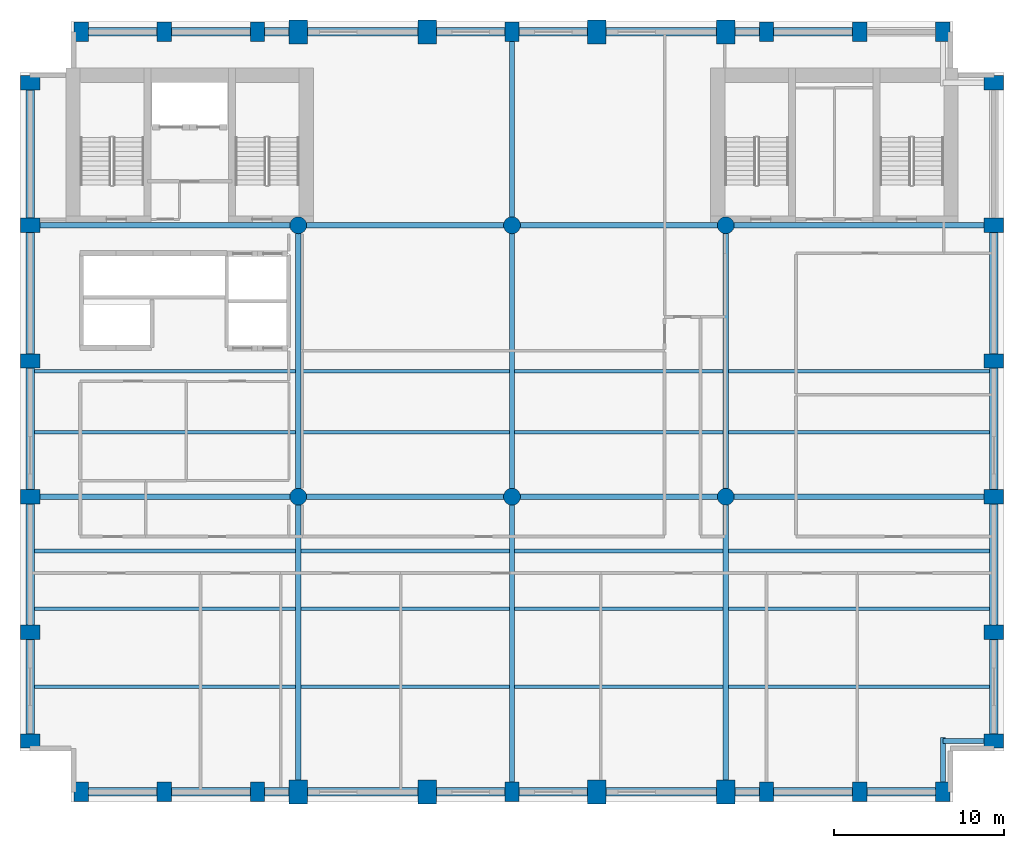
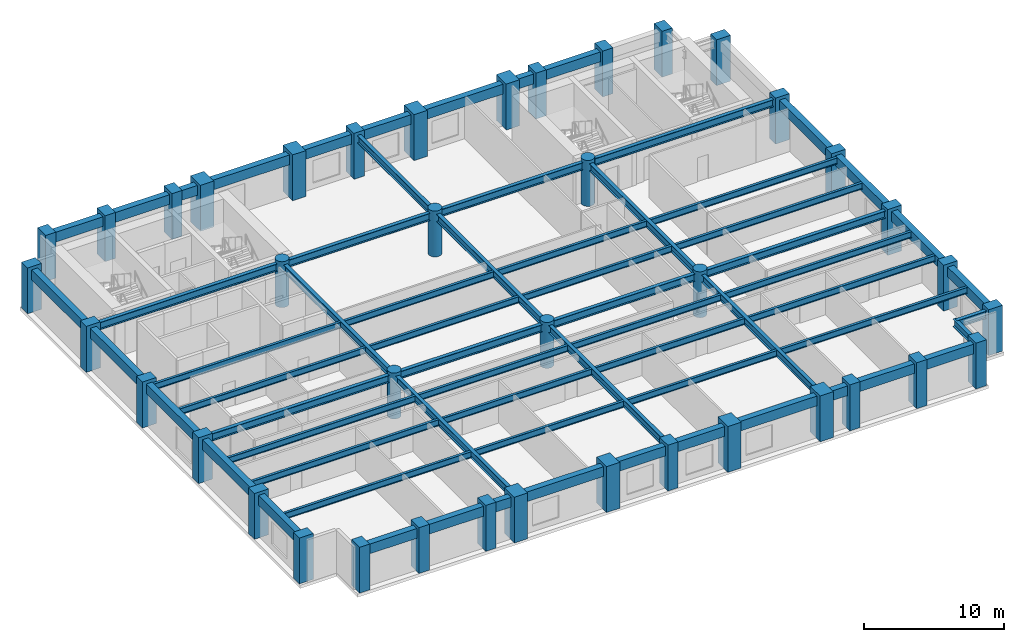
# One storey, part 1 of 8: 65 beams, 40 columns.
"""IFC4 building model written with IfcOpenShell, lengths in metres."""

import ifcopenshell
import ifcopenshell.guid

model = None  # the IFC model being written
_history = None  # IfcOwnerHistory: only IFC2X3 demands one
_inside = {}  # id of a spatial element -> (the spatial element, [elements in it])
_under = {}  # id of a project, library or spatial element -> (it, [spatial elements below it])
_declared = {}  # id of a project -> (the project, [libraries it declares])
_typed = {}  # id of a type object -> (the type object, [elements of that type])
_made_of = {}  # id of a material, layer set ... -> (it, [elements and type objects made of it])


def new_model(schema):
    """Start an empty IFC model of exactly this schema.

    Asked for "IFC4X3", IfcOpenShell would pick the latest addendum, in which some entities
    have other attributes; the version numbers below select the first issue.
    IFC2X3 requires an IfcOwnerHistory on every rooted entity: one is made here for all.
    """
    global model, _history
    if schema == "IFC4X3":
        model = ifcopenshell.file(schema_version=(4, 3, 0, 0))
    else:
        model = ifcopenshell.file(schema=schema)
    _inside.clear()
    _under.clear()
    _declared.clear()
    _typed.clear()
    _made_of.clear()
    _history = None
    if model.schema == "IFC2X3":
        org = make("IfcOrganization", Name="unknown")
        user = make(
            "IfcPersonAndOrganization",
            ThePerson=make("IfcPerson", FamilyName="unknown"),
            TheOrganization=org,
        )
        app = make(
            "IfcApplication",
            ApplicationDeveloper=org,
            Version="unknown",
            ApplicationFullName="unknown",
            ApplicationIdentifier="unknown",
        )
        _history = make(
            "IfcOwnerHistory",
            OwningUser=user,
            OwningApplication=app,
            ChangeAction="ADDED",
            CreationDate=0,
        )
    return model


def make(cls, **values):
    """One entity of the class cls with the attributes given. An attribute that is None is left unset."""
    return model.create_entity(
        cls, **{name: value for name, value in values.items() if value is not None}
    )


def rooted(cls, **values):
    """An entity with a GlobalId (a new one), such as an element, a storey or a relation."""
    return make(cls, GlobalId=ifcopenshell.guid.new(), OwnerHistory=_history, **values)


def si_unit(unit_type, name, prefix=None):
    """IfcSIUnit, for example si_unit("LENGTHUNIT", "METRE", prefix="MILLI")."""
    return make("IfcSIUnit", UnitType=unit_type, Prefix=prefix, Name=name)


def assignment(units):
    """IfcUnitAssignment: the units of a project."""
    return None if units is None else make("IfcUnitAssignment", Units=units)


def point(xyz):
    """IfcCartesianPoint."""
    return None if xyz is None else make("IfcCartesianPoint", Coordinates=xyz)


def direction(xyz):
    """IfcDirection."""
    return None if xyz is None else make("IfcDirection", DirectionRatios=xyz)


def frame(location, z_axis=None, x_axis=None):
    """IfcAxis2Placement3D, a coordinate frame: its origin and axes. An axis left out is left unset."""
    return make(
        "IfcAxis2Placement3D",
        Location=point(location),
        Axis=direction(z_axis),
        RefDirection=direction(x_axis),
    )


def frame_2d(location, x_axis=None):
    """IfcAxis2Placement2D, a coordinate frame in the plane: its origin and x axis."""
    return make(
        "IfcAxis2Placement2D", Location=point(location), RefDirection=direction(x_axis)
    )


def origin():
    """The frame at (0, 0, 0) with its axes left unset."""
    return frame((0.0, 0.0, 0.0))


def origin_2d():
    """The frame at (0, 0) in the plane with its x axis left unset."""
    return frame_2d((0.0, 0.0))


def place(relative_to, where):
    """IfcLocalPlacement: puts the frame where relative to a parent placement (None: the world)."""
    return make(
        "IfcLocalPlacement", PlacementRelTo=relative_to, RelativePlacement=where
    )


def context(
    kind, dimensions, precision=None, world=None, true_north=None, identifier=None
):
    """IfcGeometricRepresentationContext, for example the 3D "Model" context."""
    return make(
        "IfcGeometricRepresentationContext",
        ContextIdentifier=identifier,
        ContextType=kind,
        CoordinateSpaceDimension=dimensions,
        Precision=precision,
        WorldCoordinateSystem=world,
        TrueNorth=true_north,
    )


def subcontext(parent, identifier, kind, view, scale=None):
    """IfcGeometricRepresentationSubContext, for example "Body" below "Model"."""
    return make(
        "IfcGeometricRepresentationSubContext",
        ContextIdentifier=identifier,
        ContextType=kind,
        ParentContext=parent,
        TargetScale=scale,
        TargetView=view,
    )


def project(units=None, contexts=None):
    """IfcProject with its units and contexts."""
    return rooted(
        "IfcProject",
        Name="project",
        RepresentationContexts=contexts,
        UnitsInContext=assignment(units),
    )


def spatial(cls, under=None, at=None, **own):
    """A site, building, storey or space (cls), placed at a placement, below another one or the project."""
    s = rooted(cls, ObjectPlacement=at, **own)
    if under is not None:
        _under.setdefault(under.id(), (under, []))[1].append(s)
    return s


def profile(cls, at=None, kind="AREA", **sizes):
    """A parametric profile (cls). Its sizes go by their IFC names, for example OverallWidth=200.0."""
    return make(cls, ProfileType=kind, Position=at, **sizes)


def rectangle(**sizes):
    """IfcRectangleProfileDef."""
    return profile("IfcRectangleProfileDef", **sizes)


def circle(**sizes):
    """IfcCircleProfileDef."""
    return profile("IfcCircleProfileDef", **sizes)


def i_section(**sizes):
    """IfcIShapeProfileDef."""
    return profile("IfcIShapeProfileDef", **sizes)


def extrude(swept, where, along, depth):
    """IfcExtrudedAreaSolid: the profile swept, set in the frame where, extruded along a direction by depth."""
    return make(
        "IfcExtrudedAreaSolid",
        SweptArea=swept,
        Position=where,
        ExtrudedDirection=direction(along),
        Depth=depth,
    )


def shape(context_of_items, identifier, shape_type, items):
    """IfcShapeRepresentation: the items that make up one representation, for example the "Body"."""
    return make(
        "IfcShapeRepresentation",
        ContextOfItems=context_of_items,
        RepresentationIdentifier=identifier,
        RepresentationType=shape_type,
        Items=items,
    )


def material(Name=None, Category=None):
    """IfcMaterial."""
    return make("IfcMaterial", Name=Name, Category=Category)


def material_profile(
    of_material, cross_section, Name=None, Category=None, Priority=None
):
    """IfcMaterialProfile: a cross section and its material."""
    return make(
        "IfcMaterialProfile",
        Name=Name,
        Material=of_material,
        Profile=cross_section,
        Priority=Priority,
        Category=Category,
    )


def profile_set(profiles, Name=None, composite=None):
    """IfcMaterialProfileSet."""
    return make(
        "IfcMaterialProfileSet",
        Name=Name,
        MaterialProfiles=profiles,
        CompositeProfile=composite,
    )


def made_of(thing, what):
    """Note that an element or type object is made of a material, layer set ...; save() writes the relation."""
    if what is not None:
        _made_of.setdefault(what.id(), (what, []))[1].append(thing)
    return thing


def type_object(cls, material=None, **own):
    """A type object (cls), such as IfcWallType, which elements share."""
    return made_of(rooted(cls, **own), material)


def element(
    cls,
    number,
    at=None,
    inside=None,
    cuts=None,
    type_object=None,
    material=None,
    context=None,
    identifier="Body",
    shape_type=None,
    held_by="IfcProductDefinitionShape",
    body=None,
    shapes=None,
    **own,
):
    """One element of the class cls, such as IfcWall. Its Tag is "e" and its number.

    at: its placement. inside: the storey or other place that contains it. cuts: it is an
    opening in that element (IfcRelVoidsElement). A single representation is given by context,
    identifier, shape_type and body (its items); several are given by shapes. held_by: the class
    of the entity that holds the representations. save() writes the other relations.
    """
    e = rooted(cls, Tag="e%d" % number, ObjectPlacement=at, **own)
    if body is not None:
        shapes = [shape(context, identifier, shape_type, body)]
    if shapes is not None:
        e.Representation = make(held_by, Representations=shapes)
    if inside is not None:
        _inside.setdefault(inside.id(), (inside, []))[1].append(e)
    if cuts is not None:
        rooted(
            "IfcRelVoidsElement", RelatingBuildingElement=cuts, RelatedOpeningElement=e
        )
    if type_object is not None:
        _typed.setdefault(type_object.id(), (type_object, []))[1].append(e)
    return made_of(e, material)


def aggregate(whole, parts):
    """IfcRelAggregates: a whole, such as a stair, and the parts it consists of."""
    return rooted("IfcRelAggregates", RelatingObject=whole, RelatedObjects=parts)


def save(model, path):
    """Write the relations noted so far, then the file.

    IfcRelAggregates (storeys below a building ...), IfcRelContainedInSpatialStructure (elements
    in a storey), IfcRelDefinesByType, IfcRelAssociatesMaterial and IfcRelDeclares: one each for
    every whole, place, type object, material and project.
    """
    for whole, parts in _under.values():
        aggregate(whole, parts)
    for where, things in _inside.values():
        rooted(
            "IfcRelContainedInSpatialStructure",
            RelatedElements=things,
            RelatingStructure=where,
        )
    for kind, things in _typed.values():
        rooted("IfcRelDefinesByType", RelatedObjects=things, RelatingType=kind)
    for what, things in _made_of.values():
        rooted("IfcRelAssociatesMaterial", RelatedObjects=things, RelatingMaterial=what)
    for by, libraries in _declared.values():
        rooted("IfcRelDeclares", RelatingContext=by, RelatedDefinitions=libraries)
    model.write(path)


model = new_model("IFC4")

# Units and contexts
model_context = context("Model", 3, precision=1e-05, world=origin(), true_north=direction((0.0, 1.0)))
body_context = subcontext(model_context, "Body", "Model", "MODEL_VIEW")
ifc_project = project(units=[si_unit("LENGTHUNIT", "METRE"), si_unit("AREAUNIT", "SQUARE_METRE"), si_unit("VOLUMEUNIT", "CUBIC_METRE"), si_unit("PLANEANGLEUNIT", "RADIAN"), si_unit("MASSUNIT", "GRAM", prefix="KILO")], contexts=[model_context])

# Site, building, storey
site_placement = place(None, origin())
site = spatial("IfcSite", under=ifc_project, at=site_placement, CompositionType="ELEMENT")
building_placement = place(site_placement, origin())
building = spatial("IfcBuilding", under=site, at=building_placement, Name="Sulina Concourse Tower", CompositionType="ELEMENT")
storey_placement = place(building_placement, frame((0.0, 0.0, 124.60009765625)))
storey = spatial("IfcBuildingStorey", under=building, at=storey_placement, Name="L30", CompositionType="ELEMENT", Elevation=124.60009765625)

# Columns
ifc_material_1 = material(Name="Concrete C60/75", Category="concrete")
ifc_material_profile_1 = material_profile(ifc_material_1, circle(Radius=0.5, at=origin_2d()), Name="RC D1000")
ifc_profile_set_1 = profile_set([ifc_material_profile_1], Name="Concrete C60/75")
column_type_1 = type_object("IfcColumnType", Name="Lower Interior Circular Column D1000", PredefinedType="COLUMN", material=ifc_profile_set_1)
for number, where, z_axis, x_axis, name in (
    (1, (16.39990234375, 18.0, 0.0), (0.0, 0.0, 1.0), (1.0, 0.0, 0.0), "L30 structural column IC-M-164"),
    (2, (16.39990234375, 34.0, 0.0), (0.0, 0.0, 1.0), (1.0, 0.0, 0.0), "L30 structural column IC-N-164"),
    (3, (29.0, 18.0, 0.0), (0.0, 0.0, 1.0), (1.0, 0.0, 0.0), "L30 structural column IC-M-290"),
    (4, (29.0, 34.0, 0.0), (0.0, 0.0, 1.0), (1.0, 0.0, 0.0), "L30 structural column IC-N-290"),
    (5, (41.60009765625, 18.0, 0.0), (0.0, 0.0, 1.0), (1.0, 0.0, 0.0), "L30 structural column IC-M-416"),
    (6, (41.60009765625, 34.0, 0.0), (0.0, 0.0, 1.0), (1.0, 0.0, 0.0), "L30 structural column IC-N-416"),
):
    element("IfcColumn", number, at=place(storey_placement, frame(where, z_axis=z_axis, x_axis=x_axis)), inside=storey, type_object=column_type_1, Name=name, PredefinedType="COLUMN", context=body_context, shape_type="SweptSolid", body=[
        extrude(circle(Radius=0.5, at=origin_2d()), origin(), (0.0, 0.0, 1.0), 4.0),
    ])
ifc_material_2 = material(Name="Concrete C60/75", Category="concrete")
ifc_material_profile_2 = material_profile(ifc_material_2, rectangle(XDim=1.10009765625, YDim=1.39990234375, at=origin_2d()), Name="RC 1100x1400")
ifc_profile_set_2 = profile_set([ifc_material_profile_2], Name="Concrete C60/75")
column_type_2 = type_object("IfcColumnType", Name="Mid-Rise Portal Column 1100x1400", PredefinedType="COLUMN", material=ifc_profile_set_2)
for number, where, z_axis, x_axis, name in (
    (7, (16.39990234375, 0.60009765625, 0.0), (0.0, 0.0, 1.0), (1.0, 0.0, 0.0), "L30 structural column TP-S-164"),
    (8, (16.39990234375, 45.39990234375, 0.0), (0.0, 0.0, 1.0), (1.0, 0.0, 0.0), "L30 structural column TP-N-164"),
    (9, (24.0, 0.60009765625, 0.0), (0.0, 0.0, 1.0), (1.0, 0.0, 0.0), "L30 structural column TP-S-240"),
    (10, (24.0, 45.39990234375, 0.0), (0.0, 0.0, 1.0), (1.0, 0.0, 0.0), "L30 structural column TP-N-240"),
    (11, (34.0, 0.60009765625, 0.0), (0.0, 0.0, 1.0), (1.0, 0.0, 0.0), "L30 structural column TP-S-340"),
    (12, (34.0, 45.39990234375, 0.0), (0.0, 0.0, 1.0), (1.0, 0.0, 0.0), "L30 structural column TP-N-340"),
    (13, (41.60009765625, 0.60009765625, 0.0), (0.0, 0.0, 1.0), (1.0, 0.0, 0.0), "L30 structural column TP-S-416"),
    (14, (41.60009765625, 45.39990234375, 0.0), (0.0, 0.0, 1.0), (1.0, 0.0, 0.0), "L30 structural column TP-N-416"),
):
    element("IfcColumn", number, at=place(storey_placement, frame(where, z_axis=z_axis, x_axis=x_axis)), inside=storey, type_object=column_type_2, Name=name, PredefinedType="COLUMN", context=body_context, shape_type="SweptSolid", body=[
        extrude(rectangle(XDim=1.10009765625, YDim=1.39990234375, at=origin_2d()), origin(), (0.0, 0.0, 1.0), 4.0),
    ])
ifc_material_3 = material(Name="Precast concrete C60/75", Category="concrete")
ifc_material_profile_3 = material_profile(ifc_material_3, rectangle(XDim=0.85009765625, YDim=1.14990234375, at=origin_2d()), Name="PC 850x1150")
ifc_profile_set_3 = profile_set([ifc_material_profile_3], Name="Precast concrete C60/75")
column_type_3 = type_object("IfcColumnType", Name="Precast Tube Pier Zone 2 850x1150", PredefinedType="COLUMN", material=ifc_profile_set_3)
for number, where, z_axis, x_axis, name in (
    (15, (3.60009765625, 0.60009765625, 0.0), (0.0, 0.0, 1.0), (1.0, 0.0, 0.0), "L30 structural column TP-S-36"),
    (16, (3.60009765625, 45.39990234375, 0.0), (0.0, 0.0, 1.0), (1.0, 0.0, 0.0), "L30 structural column TP-N-36"),
    (17, (8.5, 0.60009765625, 0.0), (0.0, 0.0, 1.0), (1.0, 0.0, 0.0), "L30 structural column TP-S-85"),
    (18, (8.5, 45.39990234375, 0.0), (0.0, 0.0, 1.0), (1.0, 0.0, 0.0), "L30 structural column TP-N-85"),
    (19, (14.0, 0.60009765625, 0.0), (0.0, 0.0, 1.0), (1.0, 0.0, 0.0), "L30 structural column TP-S-140"),
    (20, (14.0, 45.39990234375, 0.0), (0.0, 0.0, 1.0), (1.0, 0.0, 0.0), "L30 structural column TP-N-140"),
    (21, (29.0, 0.60009765625, 0.0), (0.0, 0.0, 1.0), (1.0, 0.0, 0.0), "L30 structural column TP-S-290"),
    (22, (29.0, 45.39990234375, 0.0), (0.0, 0.0, 1.0), (1.0, 0.0, 0.0), "L30 structural column TP-N-290"),
    (23, (44.0, 0.60009765625, 0.0), (0.0, 0.0, 1.0), (1.0, 0.0, 0.0), "L30 structural column TP-S-440"),
    (24, (44.0, 45.39990234375, 0.0), (0.0, 0.0, 1.0), (1.0, 0.0, 0.0), "L30 structural column TP-N-440"),
    (25, (49.5, 0.60009765625, 0.0), (0.0, 0.0, 1.0), (1.0, 0.0, 0.0), "L30 structural column TP-S-495"),
    (26, (49.5, 45.39990234375, 0.0), (0.0, 0.0, 1.0), (1.0, 0.0, 0.0), "L30 structural column TP-N-495"),
    (27, (54.39990234375, 0.60009765625, 0.0), (0.0, 0.0, 1.0), (1.0, 0.0, 0.0), "L30 structural column TP-S-544"),
    (28, (54.39990234375, 45.39990234375, 0.0), (0.0, 0.0, 1.0), (1.0, 0.0, 0.0), "L30 structural column TP-N-544"),
    (29, (0.60009765625, 3.60009765625, 0.0), (0.0, 0.0, 1.0), (0.0, 1.0, 0.0), "L30 structural column TP-W-36"),
    (30, (57.39990234375, 3.60009765625, 0.0), (0.0, 0.0, 1.0), (0.0, 1.0, 0.0), "L30 structural column TP-E-36"),
    (31, (0.60009765625, 10.0, 0.0), (0.0, 0.0, 1.0), (0.0, 1.0, 0.0), "L30 structural column TP-W-100"),
    (32, (57.39990234375, 10.0, 0.0), (0.0, 0.0, 1.0), (0.0, 1.0, 0.0), "L30 structural column TP-E-100"),
    (33, (0.60009765625, 18.0, 0.0), (0.0, 0.0, 1.0), (0.0, 1.0, 0.0), "L30 structural column TP-W-180"),
    (34, (57.39990234375, 18.0, 0.0), (0.0, 0.0, 1.0), (0.0, 1.0, 0.0), "L30 structural column TP-E-180"),
    (35, (0.60009765625, 26.0, 0.0), (0.0, 0.0, 1.0), (0.0, 1.0, 0.0), "L30 structural column TP-W-260"),
    (36, (57.39990234375, 26.0, 0.0), (0.0, 0.0, 1.0), (0.0, 1.0, 0.0), "L30 structural column TP-E-260"),
    (37, (0.60009765625, 34.0, 0.0), (0.0, 0.0, 1.0), (0.0, 1.0, 0.0), "L30 structural column TP-W-340"),
    (38, (57.39990234375, 34.0, 0.0), (0.0, 0.0, 1.0), (0.0, 1.0, 0.0), "L30 structural column TP-E-340"),
    (39, (0.60009765625, 42.39990234375, 0.0), (0.0, 0.0, 1.0), (0.0, 1.0, 0.0), "L30 structural column TP-W-424"),
    (40, (57.39990234375, 42.39990234375, 0.0), (0.0, 0.0, 1.0), (0.0, 1.0, 0.0), "L30 structural column TP-E-424"),
):
    element("IfcColumn", number, at=place(storey_placement, frame(where, z_axis=z_axis, x_axis=x_axis)), inside=storey, type_object=column_type_3, Name=name, PredefinedType="COLUMN", context=body_context, shape_type="SweptSolid", body=[
        extrude(rectangle(XDim=0.85009765625, YDim=1.14990234375, at=origin_2d()), origin(), (0.0, 0.0, 1.0), 4.0),
    ])

# Beams
ifc_material_4 = material(Name="Steel S355", Category="steel")
ifc_material_profile_4 = material_profile(ifc_material_4, i_section(OverallWidth=0.2099609375, OverallDepth=0.550048828125, WebThickness=0.010986328125, FlangeThickness=0.01708984375, at=origin_2d()), Name="IPE 550")
ifc_profile_set_4 = profile_set([ifc_material_profile_4], Name="Steel S355")
beam_type_1 = type_object("IfcBeamType", Name="Composite Floor Joist IPE550", PredefinedType="JOIST", material=ifc_profile_set_4)
beam_1_placement = place(storey_placement, frame((0.85009765625, 6.800048828125, 3.449951171875), z_axis=(1.0, 0.0, 0.0), x_axis=(0.0, 1.0, 0.0)))
element("IfcBeam", 41, at=beam_1_placement, inside=storey, type_object=beam_type_1, Name="FJ-J06-1-L30", PredefinedType="JOIST", context=body_context, shape_type="SweptSolid", body=[
    extrude(i_section(OverallWidth=0.2099609375, OverallDepth=0.550048828125, WebThickness=0.010986328125, FlangeThickness=0.01708984375, at=origin_2d()), origin(), (0.0, 0.0, 1.0), 15.39990234375),
])
for number, where, z_axis, x_axis, name in (
    (42, (16.550048828125, 6.800048828125, 3.449951171875), (1.0, 0.0, 0.0), (0.0, 1.0, 0.0), "FJ-J06-2-L30"),
    (43, (29.14990234375, 6.800048828125, 3.449951171875), (1.0, 0.0, 0.0), (0.0, 1.0, 0.0), "FJ-J06-3-L30"),
):
    element("IfcBeam", number, at=place(storey_placement, frame(where, z_axis=z_axis, x_axis=x_axis)), inside=storey, type_object=beam_type_1, Name=name, PredefinedType="JOIST", context=body_context, shape_type="SweptSolid", body=[
        extrude(i_section(OverallWidth=0.2099609375, OverallDepth=0.550048828125, WebThickness=0.010986328125, FlangeThickness=0.01708984375, at=origin_2d()), origin(), (0.0, 0.0, 1.0), 12.300048828125),
    ])
for number, where, z_axis, x_axis, name in (
    (44, (41.75, 6.800048828125, 3.449951171875), (1.0, 0.0, 0.0), (0.0, 1.0, 0.0), "FJ-J06-4-L30"),
    (45, (0.85009765625, 11.39990234375, 3.449951171875), (1.0, 0.0, 0.0), (0.0, 1.0, 0.0), "FJ-J11-1-L30"),
):
    element("IfcBeam", number, at=place(storey_placement, frame(where, z_axis=z_axis, x_axis=x_axis)), inside=storey, type_object=beam_type_1, Name=name, PredefinedType="JOIST", context=body_context, shape_type="SweptSolid", body=[
        extrude(i_section(OverallWidth=0.2099609375, OverallDepth=0.550048828125, WebThickness=0.010986328125, FlangeThickness=0.01708984375, at=origin_2d()), origin(), (0.0, 0.0, 1.0), 15.39990234375),
    ])
for number, where, z_axis, x_axis, name in (
    (46, (16.550048828125, 11.39990234375, 3.449951171875), (1.0, 0.0, 0.0), (0.0, 1.0, 0.0), "FJ-J11-2-L30"),
    (47, (29.14990234375, 11.39990234375, 3.449951171875), (1.0, 0.0, 0.0), (0.0, 1.0, 0.0), "FJ-J11-3-L30"),
):
    element("IfcBeam", number, at=place(storey_placement, frame(where, z_axis=z_axis, x_axis=x_axis)), inside=storey, type_object=beam_type_1, Name=name, PredefinedType="JOIST", context=body_context, shape_type="SweptSolid", body=[
        extrude(i_section(OverallWidth=0.2099609375, OverallDepth=0.550048828125, WebThickness=0.010986328125, FlangeThickness=0.01708984375, at=origin_2d()), origin(), (0.0, 0.0, 1.0), 12.300048828125),
    ])
for number, where, z_axis, x_axis, name in (
    (48, (41.75, 11.39990234375, 3.449951171875), (1.0, 0.0, 0.0), (0.0, 1.0, 0.0), "FJ-J11-4-L30"),
    (49, (0.85009765625, 14.800048828125, 3.449951171875), (1.0, 0.0, 0.0), (0.0, 1.0, 0.0), "FJ-J15-1-L30"),
):
    element("IfcBeam", number, at=place(storey_placement, frame(where, z_axis=z_axis, x_axis=x_axis)), inside=storey, type_object=beam_type_1, Name=name, PredefinedType="JOIST", context=body_context, shape_type="SweptSolid", body=[
        extrude(i_section(OverallWidth=0.2099609375, OverallDepth=0.550048828125, WebThickness=0.010986328125, FlangeThickness=0.01708984375, at=origin_2d()), origin(), (0.0, 0.0, 1.0), 15.39990234375),
    ])
for number, where, z_axis, x_axis, name in (
    (50, (16.550048828125, 14.800048828125, 3.449951171875), (1.0, 0.0, 0.0), (0.0, 1.0, 0.0), "FJ-J15-2-L30"),
    (51, (29.14990234375, 14.800048828125, 3.449951171875), (1.0, 0.0, 0.0), (0.0, 1.0, 0.0), "FJ-J15-3-L30"),
):
    element("IfcBeam", number, at=place(storey_placement, frame(where, z_axis=z_axis, x_axis=x_axis)), inside=storey, type_object=beam_type_1, Name=name, PredefinedType="JOIST", context=body_context, shape_type="SweptSolid", body=[
        extrude(i_section(OverallWidth=0.2099609375, OverallDepth=0.550048828125, WebThickness=0.010986328125, FlangeThickness=0.01708984375, at=origin_2d()), origin(), (0.0, 0.0, 1.0), 12.300048828125),
    ])
for number, where, z_axis, x_axis, name in (
    (52, (41.75, 14.800048828125, 3.449951171875), (1.0, 0.0, 0.0), (0.0, 1.0, 0.0), "FJ-J15-4-L30"),
    (53, (0.85009765625, 21.800048828125, 3.449951171875), (1.0, 0.0, 0.0), (0.0, 1.0, 0.0), "FJ-J22-1-L30"),
):
    element("IfcBeam", number, at=place(storey_placement, frame(where, z_axis=z_axis, x_axis=x_axis)), inside=storey, type_object=beam_type_1, Name=name, PredefinedType="JOIST", context=body_context, shape_type="SweptSolid", body=[
        extrude(i_section(OverallWidth=0.2099609375, OverallDepth=0.550048828125, WebThickness=0.010986328125, FlangeThickness=0.01708984375, at=origin_2d()), origin(), (0.0, 0.0, 1.0), 15.39990234375),
    ])
for number, where, z_axis, x_axis, name in (
    (54, (16.550048828125, 21.800048828125, 3.449951171875), (1.0, 0.0, 0.0), (0.0, 1.0, 0.0), "FJ-J22-2-L30"),
    (55, (29.14990234375, 21.800048828125, 3.449951171875), (1.0, 0.0, 0.0), (0.0, 1.0, 0.0), "FJ-J22-3-L30"),
):
    element("IfcBeam", number, at=place(storey_placement, frame(where, z_axis=z_axis, x_axis=x_axis)), inside=storey, type_object=beam_type_1, Name=name, PredefinedType="JOIST", context=body_context, shape_type="SweptSolid", body=[
        extrude(i_section(OverallWidth=0.2099609375, OverallDepth=0.550048828125, WebThickness=0.010986328125, FlangeThickness=0.01708984375, at=origin_2d()), origin(), (0.0, 0.0, 1.0), 12.300048828125),
    ])
for number, where, z_axis, x_axis, name in (
    (56, (41.75, 21.800048828125, 3.449951171875), (1.0, 0.0, 0.0), (0.0, 1.0, 0.0), "FJ-J22-4-L30"),
    (57, (0.85009765625, 25.39990234375, 3.449951171875), (1.0, 0.0, 0.0), (0.0, 1.0, 0.0), "FJ-J25-1-L30"),
):
    element("IfcBeam", number, at=place(storey_placement, frame(where, z_axis=z_axis, x_axis=x_axis)), inside=storey, type_object=beam_type_1, Name=name, PredefinedType="JOIST", context=body_context, shape_type="SweptSolid", body=[
        extrude(i_section(OverallWidth=0.2099609375, OverallDepth=0.550048828125, WebThickness=0.010986328125, FlangeThickness=0.01708984375, at=origin_2d()), origin(), (0.0, 0.0, 1.0), 15.39990234375),
    ])
for number, where, z_axis, x_axis, name in (
    (58, (16.550048828125, 25.39990234375, 3.449951171875), (1.0, 0.0, 0.0), (0.0, 1.0, 0.0), "FJ-J25-2-L30"),
    (59, (29.14990234375, 25.39990234375, 3.449951171875), (1.0, 0.0, 0.0), (0.0, 1.0, 0.0), "FJ-J25-3-L30"),
):
    element("IfcBeam", number, at=place(storey_placement, frame(where, z_axis=z_axis, x_axis=x_axis)), inside=storey, type_object=beam_type_1, Name=name, PredefinedType="JOIST", context=body_context, shape_type="SweptSolid", body=[
        extrude(i_section(OverallWidth=0.2099609375, OverallDepth=0.550048828125, WebThickness=0.010986328125, FlangeThickness=0.01708984375, at=origin_2d()), origin(), (0.0, 0.0, 1.0), 12.300048828125),
    ])
beam_2_placement = place(storey_placement, frame((41.75, 25.39990234375, 3.449951171875), z_axis=(1.0, 0.0, 0.0), x_axis=(0.0, 1.0, 0.0)))
element("IfcBeam", 60, at=beam_2_placement, inside=storey, type_object=beam_type_1, Name="FJ-J25-4-L30", PredefinedType="JOIST", context=body_context, shape_type="SweptSolid", body=[
    extrude(i_section(OverallWidth=0.2099609375, OverallDepth=0.550048828125, WebThickness=0.010986328125, FlangeThickness=0.01708984375, at=origin_2d()), origin(), (0.0, 0.0, 1.0), 15.39990234375),
])
ifc_material_5 = material(Name="Steel S355", Category="steel")
ifc_material_profile_5 = material_profile(ifc_material_5, i_section(OverallWidth=0.300048828125, OverallDepth=0.64990234375, WebThickness=0.01611328125, FlangeThickness=0.031005859375, at=origin_2d()), Name="HE 650 B")
ifc_profile_set_5 = profile_set([ifc_material_profile_5], Name="Steel S355")
beam_type_2 = type_object("IfcBeamType", Name="Floor Primary Girder Zone 2 HE650B", PredefinedType="BEAM", material=ifc_profile_set_5)
beam_3_placement = place(storey_placement, frame((54.39990234375, 3.60009765625, 3.39990234375), z_axis=(1.0, 0.0, 0.0), x_axis=(0.0, 1.0, 0.0)))
element("IfcBeam", 61, at=beam_3_placement, inside=storey, type_object=beam_type_2, Name="TIE-SE-L30", PredefinedType="BEAM", context=body_context, shape_type="SweptSolid", body=[
    extrude(i_section(OverallWidth=0.300048828125, OverallDepth=0.64990234375, WebThickness=0.01611328125, FlangeThickness=0.031005859375, at=origin_2d()), origin(), (0.0, 0.0, 1.0), 2.59521484375),
])
beam_4_placement = place(storey_placement, frame((54.39990234375, 1.0048828125, 3.39990234375), z_axis=(0.0, 1.0, 0.0), x_axis=(-1.0, 0.0, 0.0)))
element("IfcBeam", 62, at=beam_4_placement, inside=storey, type_object=beam_type_2, Name="TIE-SES-L30", PredefinedType="BEAM", context=body_context, shape_type="SweptSolid", body=[
    extrude(i_section(OverallWidth=0.300048828125, OverallDepth=0.64990234375, WebThickness=0.01611328125, FlangeThickness=0.031005859375, at=origin_2d()), origin(), (0.0, 0.0, 1.0), 2.795166015625),
])
beam_5_placement = place(storey_placement, frame((1.0048828125, 18.0, 3.39990234375), z_axis=(1.0, 0.0, 0.0), x_axis=(0.0, 1.0, 0.0)))
element("IfcBeam", 63, at=beam_5_placement, inside=storey, type_object=beam_type_2, Name="FG-EW1-L30", PredefinedType="BEAM", context=body_context, shape_type="SweptSolid", body=[
    extrude(i_section(OverallWidth=0.300048828125, OverallDepth=0.64990234375, WebThickness=0.01611328125, FlangeThickness=0.031005859375, at=origin_2d()), origin(), (0.0, 0.0, 1.0), 14.9150390625),
])
for number, where, z_axis, x_axis, name in (
    (64, (16.8798828125, 18.0, 3.39990234375), (1.0, 0.0, 0.0), (0.0, 1.0, 0.0), "FG-EW2-L30"),
    (65, (29.47998046875, 18.0, 3.39990234375), (1.0, 0.0, 0.0), (0.0, 1.0, 0.0), "FG-EW3-L30"),
):
    element("IfcBeam", number, at=place(storey_placement, frame(where, z_axis=z_axis, x_axis=x_axis)), inside=storey, type_object=beam_type_2, Name=name, PredefinedType="BEAM", context=body_context, shape_type="SweptSolid", body=[
        extrude(i_section(OverallWidth=0.300048828125, OverallDepth=0.64990234375, WebThickness=0.01611328125, FlangeThickness=0.031005859375, at=origin_2d()), origin(), (0.0, 0.0, 1.0), 11.64013671875),
    ])
for number, where, z_axis, x_axis, name in (
    (66, (42.080078125, 18.0, 3.39990234375), (1.0, 0.0, 0.0), (0.0, 1.0, 0.0), "FG-EW4-L30"),
    (67, (1.0048828125, 34.0, 3.39990234375), (1.0, 0.0, 0.0), (0.0, 1.0, 0.0), "FG-EWN1-L30"),
):
    element("IfcBeam", number, at=place(storey_placement, frame(where, z_axis=z_axis, x_axis=x_axis)), inside=storey, type_object=beam_type_2, Name=name, PredefinedType="BEAM", context=body_context, shape_type="SweptSolid", body=[
        extrude(i_section(OverallWidth=0.300048828125, OverallDepth=0.64990234375, WebThickness=0.01611328125, FlangeThickness=0.031005859375, at=origin_2d()), origin(), (0.0, 0.0, 1.0), 14.9150390625),
    ])
for number, where, z_axis, x_axis, name in (
    (68, (16.8798828125, 34.0, 3.39990234375), (1.0, 0.0, 0.0), (0.0, 1.0, 0.0), "FG-EWN2-L30"),
    (69, (29.47998046875, 34.0, 3.39990234375), (1.0, 0.0, 0.0), (0.0, 1.0, 0.0), "FG-EWN3-L30"),
):
    element("IfcBeam", number, at=place(storey_placement, frame(where, z_axis=z_axis, x_axis=x_axis)), inside=storey, type_object=beam_type_2, Name=name, PredefinedType="BEAM", context=body_context, shape_type="SweptSolid", body=[
        extrude(i_section(OverallWidth=0.300048828125, OverallDepth=0.64990234375, WebThickness=0.01611328125, FlangeThickness=0.031005859375, at=origin_2d()), origin(), (0.0, 0.0, 1.0), 11.64013671875),
    ])
beam_6_placement = place(storey_placement, frame((42.080078125, 34.0, 3.39990234375), z_axis=(1.0, 0.0, 0.0), x_axis=(0.0, 1.0, 0.0)))
element("IfcBeam", 70, at=beam_6_placement, inside=storey, type_object=beam_type_2, Name="FG-EWN4-L30", PredefinedType="BEAM", context=body_context, shape_type="SweptSolid", body=[
    extrude(i_section(OverallWidth=0.300048828125, OverallDepth=0.64990234375, WebThickness=0.01611328125, FlangeThickness=0.031005859375, at=origin_2d()), origin(), (0.0, 0.0, 1.0), 14.9150390625),
])
beam_7_placement = place(storey_placement, frame((16.39990234375, 1.1298828125, 3.39990234375), z_axis=(0.0, 1.0, 0.0), x_axis=(-1.0, 0.0, 0.0)))
element("IfcBeam", 71, at=beam_7_placement, inside=storey, type_object=beam_type_2, Name="FG-NSA-16-L30", PredefinedType="BEAM", context=body_context, shape_type="SweptSolid", body=[
    extrude(i_section(OverallWidth=0.300048828125, OverallDepth=0.64990234375, WebThickness=0.01611328125, FlangeThickness=0.031005859375, at=origin_2d()), origin(), (0.0, 0.0, 1.0), 16.39013671875),
])
beam_8_placement = place(storey_placement, frame((16.39990234375, 18.47998046875, 3.39990234375), z_axis=(0.0, 1.0, 0.0), x_axis=(-1.0, 0.0, 0.0)))
element("IfcBeam", 72, at=beam_8_placement, inside=storey, type_object=beam_type_2, Name="FG-NSB-16-L30", PredefinedType="BEAM", context=body_context, shape_type="SweptSolid", body=[
    extrude(i_section(OverallWidth=0.300048828125, OverallDepth=0.64990234375, WebThickness=0.01611328125, FlangeThickness=0.031005859375, at=origin_2d()), origin(), (0.0, 0.0, 1.0), 15.0400390625),
])
beam_9_placement = place(storey_placement, frame((29.0, 1.0048828125, 3.39990234375), z_axis=(0.0, 1.0, 0.0), x_axis=(-1.0, 0.0, 0.0)))
element("IfcBeam", 73, at=beam_9_placement, inside=storey, type_object=beam_type_2, Name="FG-NSA-29-L30", PredefinedType="BEAM", context=body_context, shape_type="SweptSolid", body=[
    extrude(i_section(OverallWidth=0.300048828125, OverallDepth=0.64990234375, WebThickness=0.01611328125, FlangeThickness=0.031005859375, at=origin_2d()), origin(), (0.0, 0.0, 1.0), 16.51513671875),
])
beam_10_placement = place(storey_placement, frame((29.0, 18.47998046875, 3.39990234375), z_axis=(0.0, 1.0, 0.0), x_axis=(-1.0, 0.0, 0.0)))
element("IfcBeam", 74, at=beam_10_placement, inside=storey, type_object=beam_type_2, Name="FG-NSB-29-L30", PredefinedType="BEAM", context=body_context, shape_type="SweptSolid", body=[
    extrude(i_section(OverallWidth=0.300048828125, OverallDepth=0.64990234375, WebThickness=0.01611328125, FlangeThickness=0.031005859375, at=origin_2d()), origin(), (0.0, 0.0, 1.0), 15.0400390625),
])
beam_11_placement = place(storey_placement, frame((29.0, 34.47998046875, 3.39990234375), z_axis=(0.0, 1.0, 0.0), x_axis=(-1.0, 0.0, 0.0)))
element("IfcBeam", 75, at=beam_11_placement, inside=storey, type_object=beam_type_2, Name="FG-NSC-29-L30", PredefinedType="BEAM", context=body_context, shape_type="SweptSolid", body=[
    extrude(i_section(OverallWidth=0.300048828125, OverallDepth=0.64990234375, WebThickness=0.01611328125, FlangeThickness=0.031005859375, at=origin_2d()), origin(), (0.0, 0.0, 1.0), 10.51513671875),
])
beam_12_placement = place(storey_placement, frame((41.60009765625, 1.1298828125, 3.39990234375), z_axis=(0.0, 1.0, 0.0), x_axis=(-1.0, 0.0, 0.0)))
element("IfcBeam", 76, at=beam_12_placement, inside=storey, type_object=beam_type_2, Name="FG-NSA-41-L30", PredefinedType="BEAM", context=body_context, shape_type="SweptSolid", body=[
    extrude(i_section(OverallWidth=0.300048828125, OverallDepth=0.64990234375, WebThickness=0.01611328125, FlangeThickness=0.031005859375, at=origin_2d()), origin(), (0.0, 0.0, 1.0), 16.39013671875),
])
beam_13_placement = place(storey_placement, frame((41.60009765625, 18.47998046875, 3.39990234375), z_axis=(0.0, 1.0, 0.0), x_axis=(-1.0, 0.0, 0.0)))
element("IfcBeam", 77, at=beam_13_placement, inside=storey, type_object=beam_type_2, Name="FG-NSB-41-L30", PredefinedType="BEAM", context=body_context, shape_type="SweptSolid", body=[
    extrude(i_section(OverallWidth=0.300048828125, OverallDepth=0.64990234375, WebThickness=0.01611328125, FlangeThickness=0.031005859375, at=origin_2d()), origin(), (0.0, 0.0, 1.0), 15.0400390625),
])
ifc_material_6 = material(Name="Precast concrete C50/60", Category="concrete")
ifc_material_profile_6 = material_profile(ifc_material_6, rectangle(XDim=0.5, YDim=0.85009765625, at=origin_2d()), Name="RC 500x850")
ifc_profile_set_6 = profile_set([ifc_material_profile_6], Name="Precast concrete C50/60")
beam_type_3 = type_object("IfcBeamType", Name="Lower Precast Spandrel Edge Beam 500x850", PredefinedType="BEAM", material=ifc_profile_set_6)
beam_14_placement = place(storey_placement, frame((4.0048828125, 0.60009765625, 3.2998046875), z_axis=(1.0, 0.0, 0.0), x_axis=(0.0, 1.0, 0.0)))
element("IfcBeam", 78, at=beam_14_placement, inside=storey, type_object=beam_type_3, Name="SP-S1-L30", PredefinedType="BEAM", context=body_context, shape_type="SweptSolid", body=[
    extrude(rectangle(XDim=0.5, YDim=0.85009765625, at=origin_2d()), origin(), (0.0, 0.0, 1.0), 4.090087890625),
])
beam_15_placement = place(storey_placement, frame((8.905029296875, 0.60009765625, 3.2998046875), z_axis=(1.0, 0.0, 0.0), x_axis=(0.0, 1.0, 0.0)))
element("IfcBeam", 79, at=beam_15_placement, inside=storey, type_object=beam_type_3, Name="SP-S2-L30", PredefinedType="BEAM", context=body_context, shape_type="SweptSolid", body=[
    extrude(rectangle(XDim=0.5, YDim=0.85009765625, at=origin_2d()), origin(), (0.0, 0.0, 1.0), 4.68994140625),
])
beam_16_placement = place(storey_placement, frame((14.405029296875, 0.60009765625, 3.2998046875), z_axis=(1.0, 0.0, 0.0), x_axis=(0.0, 1.0, 0.0)))
element("IfcBeam", 80, at=beam_16_placement, inside=storey, type_object=beam_type_3, Name="SP-S3-L30", PredefinedType="BEAM", context=body_context, shape_type="SweptSolid", body=[
    extrude(rectangle(XDim=0.5, YDim=0.85009765625, at=origin_2d()), origin(), (0.0, 0.0, 1.0), 1.465087890625),
])
beam_17_placement = place(storey_placement, frame((16.929931640625, 0.60009765625, 3.2998046875), z_axis=(1.0, 0.0, 0.0), x_axis=(0.0, 1.0, 0.0)))
element("IfcBeam", 81, at=beam_17_placement, inside=storey, type_object=beam_type_3, Name="SP-S4-L30", PredefinedType="BEAM", context=body_context, shape_type="SweptSolid", body=[
    extrude(rectangle(XDim=0.5, YDim=0.85009765625, at=origin_2d()), origin(), (0.0, 0.0, 1.0), 6.5400390625),
])
for number, where, z_axis, x_axis, name in (
    (82, (24.530029296875, 0.60009765625, 3.2998046875), (1.0, 0.0, 0.0), (0.0, 1.0, 0.0), "SP-S5-L30"),
    (83, (29.405029296875, 0.60009765625, 3.2998046875), (1.0, 0.0, 0.0), (0.0, 1.0, 0.0), "SP-S6-L30"),
):
    element("IfcBeam", number, at=place(storey_placement, frame(where, z_axis=z_axis, x_axis=x_axis)), inside=storey, type_object=beam_type_3, Name=name, PredefinedType="BEAM", context=body_context, shape_type="SweptSolid", body=[
        extrude(rectangle(XDim=0.5, YDim=0.85009765625, at=origin_2d()), origin(), (0.0, 0.0, 1.0), 4.06494140625),
    ])
beam_18_placement = place(storey_placement, frame((34.530029296875, 0.60009765625, 3.2998046875), z_axis=(1.0, 0.0, 0.0), x_axis=(0.0, 1.0, 0.0)))
element("IfcBeam", 84, at=beam_18_placement, inside=storey, type_object=beam_type_3, Name="SP-S7-L30", PredefinedType="BEAM", context=body_context, shape_type="SweptSolid", body=[
    extrude(rectangle(XDim=0.5, YDim=0.85009765625, at=origin_2d()), origin(), (0.0, 0.0, 1.0), 6.5400390625),
])
beam_19_placement = place(storey_placement, frame((42.1298828125, 0.60009765625, 3.2998046875), z_axis=(1.0, 0.0, 0.0), x_axis=(0.0, 1.0, 0.0)))
element("IfcBeam", 85, at=beam_19_placement, inside=storey, type_object=beam_type_3, Name="SP-S8-L30", PredefinedType="BEAM", context=body_context, shape_type="SweptSolid", body=[
    extrude(rectangle(XDim=0.5, YDim=0.85009765625, at=origin_2d()), origin(), (0.0, 0.0, 1.0), 1.465087890625),
])
beam_20_placement = place(storey_placement, frame((44.405029296875, 0.60009765625, 3.2998046875), z_axis=(1.0, 0.0, 0.0), x_axis=(0.0, 1.0, 0.0)))
element("IfcBeam", 86, at=beam_20_placement, inside=storey, type_object=beam_type_3, Name="SP-S9-L30", PredefinedType="BEAM", context=body_context, shape_type="SweptSolid", body=[
    extrude(rectangle(XDim=0.5, YDim=0.85009765625, at=origin_2d()), origin(), (0.0, 0.0, 1.0), 4.68994140625),
])
for number, where, z_axis, x_axis, name in (
    (87, (49.905029296875, 0.60009765625, 3.2998046875), (1.0, 0.0, 0.0), (0.0, 1.0, 0.0), "SP-S10-L30"),
    (88, (4.0048828125, 45.39990234375, 3.2998046875), (1.0, 0.0, 0.0), (0.0, 1.0, 0.0), "SP-N1-L30"),
):
    element("IfcBeam", number, at=place(storey_placement, frame(where, z_axis=z_axis, x_axis=x_axis)), inside=storey, type_object=beam_type_3, Name=name, PredefinedType="BEAM", context=body_context, shape_type="SweptSolid", body=[
        extrude(rectangle(XDim=0.5, YDim=0.85009765625, at=origin_2d()), origin(), (0.0, 0.0, 1.0), 4.090087890625),
    ])
beam_21_placement = place(storey_placement, frame((8.905029296875, 45.39990234375, 3.2998046875), z_axis=(1.0, 0.0, 0.0), x_axis=(0.0, 1.0, 0.0)))
element("IfcBeam", 89, at=beam_21_placement, inside=storey, type_object=beam_type_3, Name="SP-N2-L30", PredefinedType="BEAM", context=body_context, shape_type="SweptSolid", body=[
    extrude(rectangle(XDim=0.5, YDim=0.85009765625, at=origin_2d()), origin(), (0.0, 0.0, 1.0), 4.68994140625),
])
beam_22_placement = place(storey_placement, frame((14.405029296875, 45.39990234375, 3.2998046875), z_axis=(1.0, 0.0, 0.0), x_axis=(0.0, 1.0, 0.0)))
element("IfcBeam", 90, at=beam_22_placement, inside=storey, type_object=beam_type_3, Name="SP-N3-L30", PredefinedType="BEAM", context=body_context, shape_type="SweptSolid", body=[
    extrude(rectangle(XDim=0.5, YDim=0.85009765625, at=origin_2d()), origin(), (0.0, 0.0, 1.0), 1.465087890625),
])
beam_23_placement = place(storey_placement, frame((16.929931640625, 45.39990234375, 3.2998046875), z_axis=(1.0, 0.0, 0.0), x_axis=(0.0, 1.0, 0.0)))
element("IfcBeam", 91, at=beam_23_placement, inside=storey, type_object=beam_type_3, Name="SP-N4-L30", PredefinedType="BEAM", context=body_context, shape_type="SweptSolid", body=[
    extrude(rectangle(XDim=0.5, YDim=0.85009765625, at=origin_2d()), origin(), (0.0, 0.0, 1.0), 6.5400390625),
])
for number, where, z_axis, x_axis, name in (
    (92, (24.530029296875, 45.39990234375, 3.2998046875), (1.0, 0.0, 0.0), (0.0, 1.0, 0.0), "SP-N5-L30"),
    (93, (29.405029296875, 45.39990234375, 3.2998046875), (1.0, 0.0, 0.0), (0.0, 1.0, 0.0), "SP-N6-L30"),
):
    element("IfcBeam", number, at=place(storey_placement, frame(where, z_axis=z_axis, x_axis=x_axis)), inside=storey, type_object=beam_type_3, Name=name, PredefinedType="BEAM", context=body_context, shape_type="SweptSolid", body=[
        extrude(rectangle(XDim=0.5, YDim=0.85009765625, at=origin_2d()), origin(), (0.0, 0.0, 1.0), 4.06494140625),
    ])
beam_24_placement = place(storey_placement, frame((34.530029296875, 45.39990234375, 3.2998046875), z_axis=(1.0, 0.0, 0.0), x_axis=(0.0, 1.0, 0.0)))
element("IfcBeam", 94, at=beam_24_placement, inside=storey, type_object=beam_type_3, Name="SP-N7-L30", PredefinedType="BEAM", context=body_context, shape_type="SweptSolid", body=[
    extrude(rectangle(XDim=0.5, YDim=0.85009765625, at=origin_2d()), origin(), (0.0, 0.0, 1.0), 6.5400390625),
])
beam_25_placement = place(storey_placement, frame((42.1298828125, 45.39990234375, 3.2998046875), z_axis=(1.0, 0.0, 0.0), x_axis=(0.0, 1.0, 0.0)))
element("IfcBeam", 95, at=beam_25_placement, inside=storey, type_object=beam_type_3, Name="SP-N8-L30", PredefinedType="BEAM", context=body_context, shape_type="SweptSolid", body=[
    extrude(rectangle(XDim=0.5, YDim=0.85009765625, at=origin_2d()), origin(), (0.0, 0.0, 1.0), 1.465087890625),
])
beam_26_placement = place(storey_placement, frame((44.405029296875, 45.39990234375, 3.2998046875), z_axis=(1.0, 0.0, 0.0), x_axis=(0.0, 1.0, 0.0)))
element("IfcBeam", 96, at=beam_26_placement, inside=storey, type_object=beam_type_3, Name="SP-N9-L30", PredefinedType="BEAM", context=body_context, shape_type="SweptSolid", body=[
    extrude(rectangle(XDim=0.5, YDim=0.85009765625, at=origin_2d()), origin(), (0.0, 0.0, 1.0), 4.68994140625),
])
beam_27_placement = place(storey_placement, frame((0.60009765625, 4.0048828125, 3.2998046875), z_axis=(0.0, 1.0, 0.0), x_axis=(-1.0, 0.0, 0.0)))
element("IfcBeam", 97, at=beam_27_placement, inside=storey, type_object=beam_type_3, Name="SP-W1-L30", PredefinedType="BEAM", context=body_context, shape_type="SweptSolid", body=[
    extrude(rectangle(XDim=0.5, YDim=0.85009765625, at=origin_2d()), origin(), (0.0, 0.0, 1.0), 5.590087890625),
])
for number, where, z_axis, x_axis, name in (
    (98, (0.60009765625, 10.405029296875, 3.2998046875), (0.0, 1.0, 0.0), (-1.0, 0.0, 0.0), "SP-W2-L30"),
    (99, (0.60009765625, 18.405029296875, 3.2998046875), (0.0, 1.0, 0.0), (-1.0, 0.0, 0.0), "SP-W3-L30"),
    (100, (0.60009765625, 26.405029296875, 3.2998046875), (0.0, 1.0, 0.0), (-1.0, 0.0, 0.0), "SP-W4-L30"),
):
    element("IfcBeam", number, at=place(storey_placement, frame(where, z_axis=z_axis, x_axis=x_axis)), inside=storey, type_object=beam_type_3, Name=name, PredefinedType="BEAM", context=body_context, shape_type="SweptSolid", body=[
        extrude(rectangle(XDim=0.5, YDim=0.85009765625, at=origin_2d()), origin(), (0.0, 0.0, 1.0), 7.18994140625),
    ])
beam_28_placement = place(storey_placement, frame((0.60009765625, 34.405029296875, 3.2998046875), z_axis=(0.0, 1.0, 0.0), x_axis=(-1.0, 0.0, 0.0)))
element("IfcBeam", 101, at=beam_28_placement, inside=storey, type_object=beam_type_3, Name="SP-W5-L30", PredefinedType="BEAM", context=body_context, shape_type="SweptSolid", body=[
    extrude(rectangle(XDim=0.5, YDim=0.85009765625, at=origin_2d()), origin(), (0.0, 0.0, 1.0), 7.590087890625),
])
beam_29_placement = place(storey_placement, frame((57.39990234375, 4.0048828125, 3.2998046875), z_axis=(0.0, 1.0, 0.0), x_axis=(-1.0, 0.0, 0.0)))
element("IfcBeam", 102, at=beam_29_placement, inside=storey, type_object=beam_type_3, Name="SP-E1-L30", PredefinedType="BEAM", context=body_context, shape_type="SweptSolid", body=[
    extrude(rectangle(XDim=0.5, YDim=0.85009765625, at=origin_2d()), origin(), (0.0, 0.0, 1.0), 5.590087890625),
])
for number, where, z_axis, x_axis, name in (
    (103, (57.39990234375, 10.405029296875, 3.2998046875), (0.0, 1.0, 0.0), (-1.0, 0.0, 0.0), "SP-E2-L30"),
    (104, (57.39990234375, 18.405029296875, 3.2998046875), (0.0, 1.0, 0.0), (-1.0, 0.0, 0.0), "SP-E3-L30"),
    (105, (57.39990234375, 26.405029296875, 3.2998046875), (0.0, 1.0, 0.0), (-1.0, 0.0, 0.0), "SP-E4-L30"),
):
    element("IfcBeam", number, at=place(storey_placement, frame(where, z_axis=z_axis, x_axis=x_axis)), inside=storey, type_object=beam_type_3, Name=name, PredefinedType="BEAM", context=body_context, shape_type="SweptSolid", body=[
        extrude(rectangle(XDim=0.5, YDim=0.85009765625, at=origin_2d()), origin(), (0.0, 0.0, 1.0), 7.18994140625),
    ])

save(model, "model.ifc")
